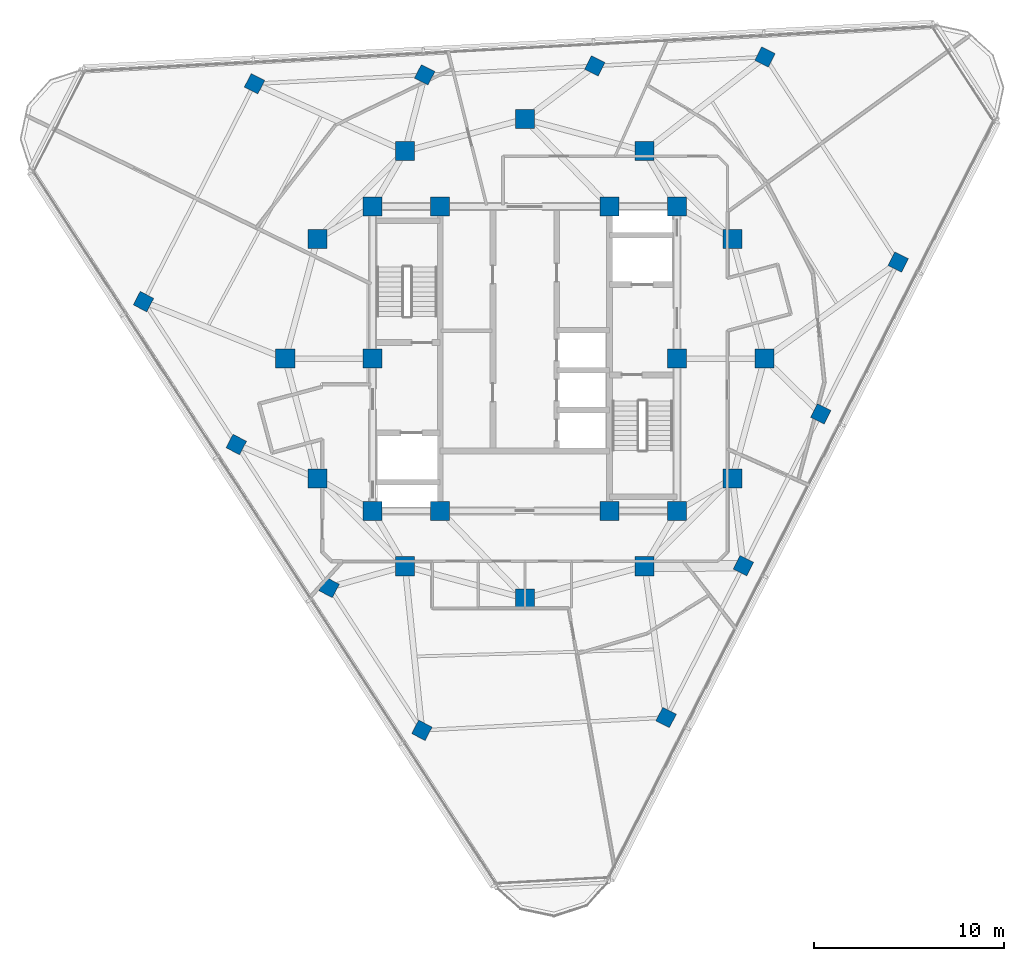
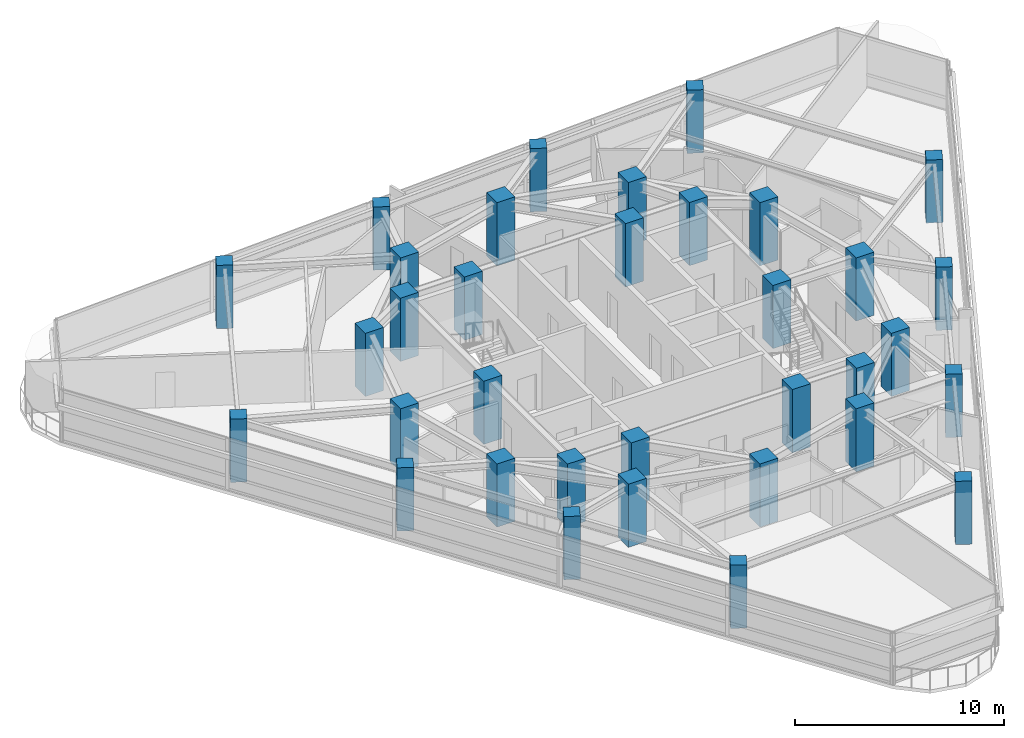
# One storey, part 1 of 15: 34 columns.
"""IFC4 building model written with IfcOpenShell, lengths in metres."""

from ifc_helpers import new_model, si_unit, direction, frame, origin, origin_2d, place, context, subcontext, project, spatial, rectangle, extrude, material, material_profile, profile_set, type_object, element, save


model = new_model("IFC4")

# Units and contexts
model_context = context("Model", 3, precision=1e-05, world=origin(), true_north=direction((0.0, 1.0)))
body_context = subcontext(model_context, "Body", "Model", "MODEL_VIEW")
ifc_project = project(units=[si_unit("LENGTHUNIT", "METRE"), si_unit("AREAUNIT", "SQUARE_METRE"), si_unit("VOLUMEUNIT", "CUBIC_METRE"), si_unit("PLANEANGLEUNIT", "RADIAN"), si_unit("MASSUNIT", "GRAM", prefix="KILO")], contexts=[model_context])

# Site, building, storey
site_placement = place(None, origin())
site = spatial("IfcSite", under=ifc_project, at=site_placement, CompositionType="ELEMENT")
building_placement = place(site_placement, origin())
building = spatial("IfcBuilding", under=site, at=building_placement, Name="Terralouvre Media Tower", CompositionType="ELEMENT")
storey_placement = place(building_placement, frame((0.0, 0.0, 248.5)))
storey = spatial("IfcBuildingStorey", under=building, at=storey_placement, Name="L64", CompositionType="ELEMENT", Elevation=248.5)

# Columns
ifc_material_1 = material(Name="Concrete C50/60", Category="concrete")
ifc_material_profile_1 = material_profile(ifc_material_1, rectangle(XDim=1.0, YDim=1.0, at=origin_2d()), Name="RC 1000x1000")
ifc_profile_set_1 = profile_set([ifc_material_profile_1], Name="Concrete C50/60")
column_type_1 = type_object("IfcColumnType", Name="Structural Column C-RC1000 (RC 1000x1000)", PredefinedType="COLUMN", material=ifc_profile_set_1)
for number, where, z_axis, x_axis, name in (
    (1, (-8.0, -8.0, 0.0), (0.0, 0.0, 1.0), (1.0, 0.0, 0.0), "L64 Core Pilaster Column CP1"),
    (2, (-4.449951171875, -8.0, 0.0), (0.0, 0.0, 1.0), (1.0, 0.0, 0.0), "L64 Core Pilaster Column CP2"),
    (3, (4.449951171875, -8.0, 0.0), (0.0, 0.0, 1.0), (1.0, 0.0, 0.0), "L64 Core Pilaster Column CP10"),
    (4, (8.0, -8.0, 0.0), (0.0, 0.0, 1.0), (1.0, 0.0, 0.0), "L64 Core Pilaster Column CP3"),
    (5, (8.0, 0.0, 0.0), (0.0, 0.0, 1.0), (1.0, 0.0, 0.0), "L64 Core Pilaster Column CP4"),
    (6, (8.0, 8.0, 0.0), (0.0, 0.0, 1.0), (1.0, 0.0, 0.0), "L64 Core Pilaster Column CP5"),
    (7, (4.449951171875, 8.0, 0.0), (0.0, 0.0, 1.0), (1.0, 0.0, 0.0), "L64 Core Pilaster Column CP9"),
    (8, (-4.449951171875, 8.0, 0.0), (0.0, 0.0, 1.0), (1.0, 0.0, 0.0), "L64 Core Pilaster Column CP6"),
    (9, (-8.0, 8.0, 0.0), (0.0, 0.0, 1.0), (1.0, 0.0, 0.0), "L64 Core Pilaster Column CP7"),
    (10, (-8.0, 0.0, 0.0), (0.0, 0.0, 1.0), (1.0, 0.0, 0.0), "L64 Core Pilaster Column CP8"),
    (11, (12.60009765625, 0.0, 0.0), (0.0, 0.0, 1.0), (1.0, 0.0, 0.0), "L64 Mega-Frame Column MC01"),
    (12, (10.911865234375, 6.300048828125, 0.0), (0.0, 0.0, 1.0), (1.0, 0.0, 0.0), "L64 Mega-Frame Column MC02"),
    (13, (6.300048828125, 10.911865234375, 0.0), (0.0, 0.0, 1.0), (1.0, 0.0, 0.0), "L64 Mega-Frame Column MC03"),
    (14, (0.0, 12.60009765625, 0.0), (0.0, 0.0, 1.0), (1.0, 0.0, 0.0), "L64 Mega-Frame Column MC04"),
    (15, (-6.300048828125, 10.911865234375, 0.0), (0.0, 0.0, 1.0), (1.0, 0.0, 0.0), "L64 Mega-Frame Column MC05"),
    (16, (-10.911865234375, 6.300048828125, 0.0), (0.0, 0.0, 1.0), (1.0, 0.0, 0.0), "L64 Mega-Frame Column MC06"),
    (17, (-12.60009765625, 0.0, 0.0), (0.0, 0.0, 1.0), (1.0, 0.0, 0.0), "L64 Mega-Frame Column MC07"),
    (18, (-10.911865234375, -6.300048828125, 0.0), (0.0, 0.0, 1.0), (1.0, 0.0, 0.0), "L64 Mega-Frame Column MC08"),
    (19, (-6.300048828125, -10.911865234375, 0.0), (0.0, 0.0, 1.0), (1.0, 0.0, 0.0), "L64 Mega-Frame Column MC09"),
    (20, (0.0, -12.60009765625, 0.0), (0.0, 0.0, 1.0), (1.0, 0.0, 0.0), "L64 Mega-Frame Column MC10"),
    (21, (6.300048828125, -10.911865234375, 0.0), (0.0, 0.0, 1.0), (1.0, 0.0, 0.0), "L64 Mega-Frame Column MC11"),
    (22, (10.911865234375, -6.300048828125, 0.0), (0.0, 0.0, 1.0), (1.0, 0.0, 0.0), "L64 Mega-Frame Column MC12"),
):
    element("IfcColumn", number, at=place(storey_placement, frame(where, z_axis=z_axis, x_axis=x_axis)), inside=storey, type_object=column_type_1, Name=name, PredefinedType="COLUMN", context=body_context, shape_type="SweptSolid", body=[
        extrude(rectangle(XDim=1.0, YDim=1.0, at=origin_2d()), origin(), (0.0, 0.0, 1.0), 3.699951171875),
    ])
ifc_material_2 = material(Name="Concrete C50/60", Category="concrete")
ifc_material_profile_2 = material_profile(ifc_material_2, rectangle(XDim=0.800048828125, YDim=0.800048828125, at=origin_2d()), Name="RC 800x800")
ifc_profile_set_2 = profile_set([ifc_material_profile_2], Name="Concrete C50/60")
column_type_2 = type_object("IfcColumnType", Name="Structural Column C-RC800 (RC 800x800)", PredefinedType="COLUMN", material=ifc_profile_set_2)
for number, where, z_axis, x_axis, name in (
    (23, (7.42626953125, -18.867919921875, 0.0), (0.0, 0.0, 1.0), (0.45399049974, 0.891006524188, 0.0), "L64 Perimeter Mega-Column PC11"),
    (24, (11.493896484375, -10.884521484375, 0.0), (0.0, 0.0, 1.0), (0.45399049974, 0.891006524188, 0.0), "L64 Perimeter Mega-Column PC12"),
    (25, (15.561767578125, -2.901123046875, 0.0), (0.0, 0.0, 1.0), (0.45399049974, 0.891006524188, 0.0), "L64 Perimeter Mega-Column PC13"),
    (26, (19.62939453125, 5.082275390625, 0.0), (0.0, 0.0, 1.0), (0.45399049974, 0.891006524188, 0.0), "L64 Perimeter Mega-Column PC14"),
    (27, (12.626953125, 15.865234375, 0.0), (0.0, 0.0, 1.0), (0.45399049974, 0.891006524188, 0.0), "L64 Perimeter Mega-Column PC21"),
    (28, (3.67919921875, 15.396240234375, 0.0), (0.0, 0.0, 1.0), (0.45399049974, 0.891006524188, 0.0), "L64 Perimeter Mega-Column PC22"),
    (29, (-5.2685546875, 14.927490234375, 0.0), (0.0, 0.0, 1.0), (0.45399049974, 0.891006524188, 0.0), "L64 Perimeter Mega-Column PC23"),
    (30, (-14.21630859375, 14.45849609375, 0.0), (0.0, 0.0, 1.0), (0.45399049974, 0.891006524188, 0.0), "L64 Perimeter Mega-Column PC24"),
    (31, (-20.05322265625, 3.002685546875, 0.0), (0.0, 0.0, 1.0), (0.45399049974, 0.891006524188, 0.0), "L64 Perimeter Mega-Column PC31"),
    (32, (-15.17333984375, -4.51171875, 0.0), (0.0, 0.0, 1.0), (0.45399049974, 0.891006524188, 0.0), "L64 Perimeter Mega-Column PC32"),
    (33, (-10.293212890625, -12.0263671875, 0.0), (0.0, 0.0, 1.0), (0.45399049974, 0.891006524188, 0.0), "L64 Perimeter Mega-Column PC33"),
    (34, (-5.413330078125, -19.540771484375, 0.0), (0.0, 0.0, 1.0), (0.45399049974, 0.891006524188, 0.0), "L64 Perimeter Mega-Column PC34"),
):
    element("IfcColumn", number, at=place(storey_placement, frame(where, z_axis=z_axis, x_axis=x_axis)), inside=storey, type_object=column_type_2, Name=name, PredefinedType="COLUMN", context=body_context, shape_type="SweptSolid", body=[
        extrude(rectangle(XDim=0.800048828125, YDim=0.800048828125, at=origin_2d()), origin(), (0.0, 0.0, 1.0), 3.699951171875),
    ])

save(model, "model.ifc")
